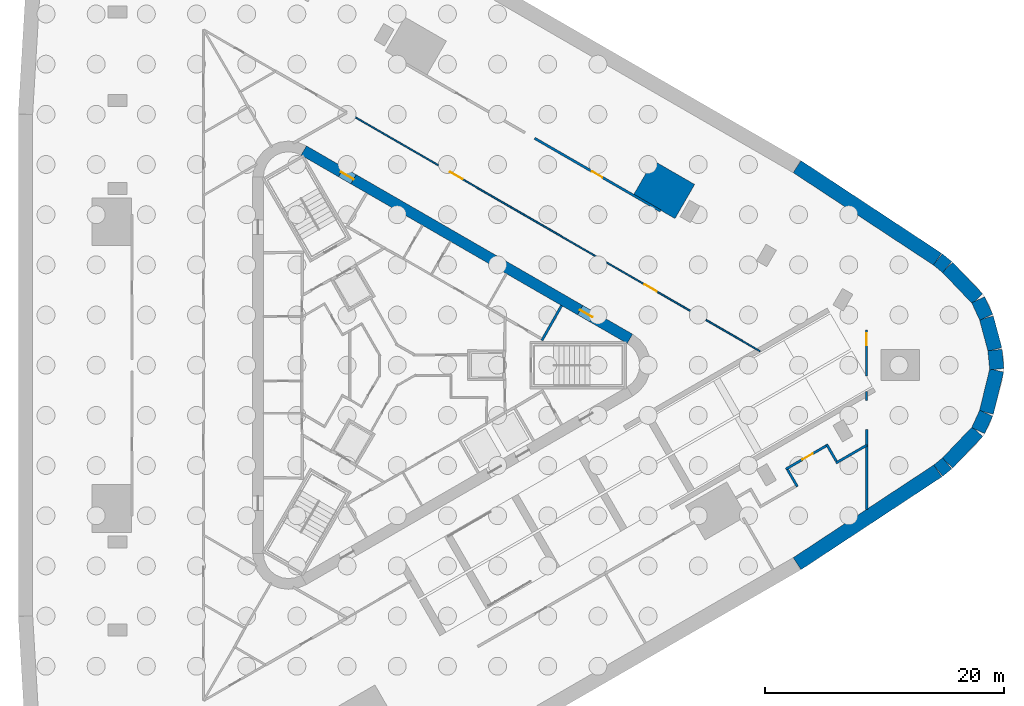
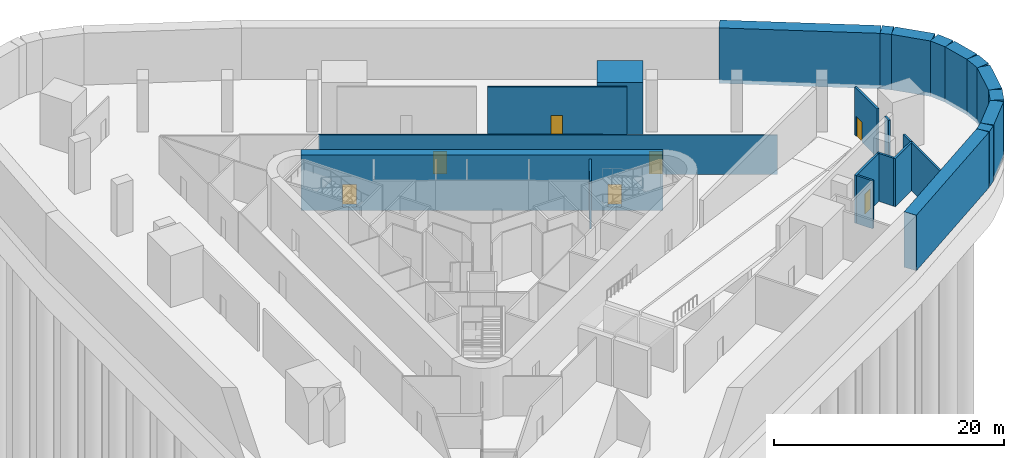
# One storey, part 8 of 13: 24 walls, 7 doors, 7 openings.
"""IFC4 building model written with IfcOpenShell, lengths in metres."""

from ifc_helpers import new_model, si_unit, direction, frame, frame_2d, origin, place, context, subcontext, project, spatial, polyline, rectangle, outline, extrude, material, layer, layer_set, type_object, element, fill, save


model = new_model("IFC4")

# Units and contexts
model_context = context("Model", 3, precision=1e-05, world=origin(), true_north=direction((0.0, 1.0)))
body_context = subcontext(model_context, "Body", "Model", "MODEL_VIEW")
ifc_project = project(units=[si_unit("LENGTHUNIT", "METRE"), si_unit("AREAUNIT", "SQUARE_METRE"), si_unit("VOLUMEUNIT", "CUBIC_METRE"), si_unit("PLANEANGLEUNIT", "RADIAN"), si_unit("MASSUNIT", "GRAM", prefix="KILO")], contexts=[model_context])

# Site, building, storey
site_placement = place(None, origin())
site = spatial("IfcSite", under=ifc_project, at=site_placement, CompositionType="ELEMENT")
building_placement = place(site_placement, origin())
building = spatial("IfcBuilding", under=site, at=building_placement, Name="Tanit Gate Tower", CompositionType="ELEMENT")
storey_placement = place(building_placement, frame((0.0, 0.0, -11.0)))
storey = spatial("IfcBuildingStorey", under=building, at=storey_placement, Name="B2", CompositionType="ELEMENT", Elevation=-11.0)

# Wall, openings, doors
ifc_material_1 = material(Name="Concrete C60/75", Category="concrete")
ifc_layer_1 = layer(ifc_material_1, 0.89990234375)
ifc_layer_set_1 = layer_set([ifc_layer_1], Name="CORE WALL 900 C60/75")
wall_type_1 = type_object("IfcWallType", Name="CORE WALL 900 C60/75", PredefinedType="SHEAR", material=ifc_layer_set_1)
wall_1_placement = place(storey_placement, frame((19.47509765625, 2.20849609375, -0.39990234375), z_axis=(0.0, 0.0, 1.0), x_axis=(-0.866028369851, 0.499994862586, 0.0)))
wall_1 = element("IfcWall", 1, at=wall_1_placement, inside=storey, type_object=wall_type_1, Name="CORE WALL", PredefinedType="SHEAR", context=body_context, shape_type="SweptSolid", body=[
    extrude(rectangle(XDim=31.523193359375, YDim=0.89990234375, at=frame_2d((15.76171875, 0.0))), origin(), (0.0, 0.0, 1.0), 5.89990234375),
])
opening_1_placement = place(wall_1_placement, frame((3.611572265625, 0.0, 0.39990234375)))
opening_1 = element("IfcOpeningElement", 2, at=opening_1_placement, cuts=wall_1, Name="Opening F12-B2-FL1", PredefinedType="OPENING", context=body_context, shape_type="SweptSolid", body=[
    extrude(rectangle(XDim=1.199951171875, YDim=2.39990234375, at=frame_2d((0.60009765625, 1.199951171875))), frame((0.0, 0.4599609375, 0.0), z_axis=(0.0, -1.0, 0.0), x_axis=(1.0, 0.0, 0.0)), (0.0, 0.0, 1.0), 0.919921875),
])
opening_2_placement = place(wall_1_placement, frame((26.711669921875, 0.0, 0.39990234375)))
opening_2 = element("IfcOpeningElement", 3, at=opening_2_placement, cuts=wall_1, Name="Opening F12-B2-S2", PredefinedType="OPENING", context=body_context, shape_type="SweptSolid", body=[
    extrude(rectangle(XDim=1.199951171875, YDim=2.39990234375, at=frame_2d((0.60009765625, 1.199951171875))), frame((0.0, 0.4599609375, 0.0), z_axis=(0.0, -1.0, 0.0), x_axis=(1.0, 0.0, 0.0)), (0.0, 0.0, 1.0), 0.919921875),
])
ifc_material_2 = material(Name="Fire-rated steel door leaf", Category="steel")
door_type_1 = type_object("IfcDoorType", Name="INT-DOOR-FIRE-LOBBY-1200", OperationType="NOTDEFINED", PredefinedType="USERDEFINED", material=ifc_material_2)
door_1_placement = place(opening_1_placement, origin())
door_1 = element("IfcDoor", 4, at=door_1_placement, inside=storey, type_object=door_type_1, Name="Door F12-B2-FL1", ObjectType="FIRE DOOR", OperationType="SINGLE_SWING_RIGHT", OverallHeight=2.39990234375, OverallWidth=1.199951171875, PredefinedType="USERDEFINED", context=body_context, shape_type="SweptSolid", body=[
    extrude(rectangle(XDim=1.199951171875, YDim=2.39990234375, at=frame_2d((0.60009765625, 1.199951171875))), frame((0.0, 0.02490234375, 0.0), z_axis=(0.0, -1.0, 0.0), x_axis=(1.0, 0.0, 0.0)), (0.0, 0.0, 1.0), 0.050048828125),
])
fill(opening_1, door_1)
door_2_placement = place(opening_2_placement, origin())
door_2 = element("IfcDoor", 5, at=door_2_placement, inside=storey, type_object=door_type_1, Name="Door F12-B2-S2", ObjectType="FIRE DOOR", OperationType="SINGLE_SWING_RIGHT", OverallHeight=2.39990234375, OverallWidth=1.199951171875, PredefinedType="USERDEFINED", context=body_context, shape_type="SweptSolid", body=[
    extrude(rectangle(XDim=1.199951171875, YDim=2.39990234375, at=frame_2d((0.60009765625, 1.199951171875))), frame((0.0, 0.02490234375, 0.0), z_axis=(0.0, -1.0, 0.0), x_axis=(1.0, 0.0, 0.0)), (0.0, 0.0, 1.0), 0.050048828125),
])
fill(opening_2, door_2)

# Walls
ifc_material_3 = material(Name="Concrete C35/45", Category="concrete")
ifc_layer_2 = layer(ifc_material_3, 1.199951171875)
ifc_layer_set_2 = layer_set([ifc_layer_2], Name="DIAPHRAGM WALL 1200 C35/45")
wall_type_2 = type_object("IfcWallType", Name="DIAPHRAGM WALL 1200 C35/45", PredefinedType="SHEAR", material=ifc_layer_set_2)
wall_2_placement = place(storey_placement, frame((48.62890625, 5.47802734375, -0.39990234375), z_axis=(0.0, 0.0, 1.0), x_axis=(0.418818025447, -0.908070185372, 0.0)))
element("IfcWall", 6, at=wall_2_placement, inside=storey, type_object=wall_type_2, Name="DIAPHRAGM WALL", PredefinedType="SHEAR", context=body_context, shape_type="SweptSolid", body=[
    extrude(rectangle(XDim=1.61181640625, YDim=1.199951171875, at=frame_2d((0.805908203125, 0.0))), origin(), (0.0, 0.0, 1.0), 5.89990234375),
])
wall_3_placement = place(storey_placement, frame((49.3212890625, 3.966552734375, -0.39990234375), z_axis=(0.0, 0.0, 1.0), x_axis=(0.258832579125, -0.965922199757, 0.0)))
element("IfcWall", 7, at=wall_3_placement, inside=storey, type_object=wall_type_2, Name="DIAPHRAGM WALL", PredefinedType="SHEAR", context=body_context, shape_type="SweptSolid", body=[
    extrude(rectangle(XDim=2.739990234375, YDim=1.199951171875, at=frame_2d((1.3701171875, 0.0))), origin(), (0.0, 0.0, 1.0), 5.89990234375),
])
wall_4_placement = place(storey_placement, frame((50.039306640625, 1.269775390625, -0.39990234375), z_axis=(0.0, 0.0, 1.0), x_axis=(0.091914614293, -0.995766892239, 0.0)))
element("IfcWall", 8, at=wall_4_placement, inside=storey, type_object=wall_type_2, Name="DIAPHRAGM WALL", PredefinedType="SHEAR", context=body_context, shape_type="SweptSolid", body=[
    extrude(rectangle(XDim=1.6123046875, YDim=1.199951171875, at=frame_2d((0.80615234375, 0.0))), origin(), (0.0, 0.0, 1.0), 5.89990234375),
])
wall_5_placement = place(storey_placement, frame((50.180419921875, -0.434326171875, -0.39990234375), z_axis=(0.0, 0.0, 1.0), x_axis=(-0.236488803439, -0.971634214017, 0.0)))
element("IfcWall", 9, at=wall_5_placement, inside=storey, type_object=wall_type_2, Name="DIAPHRAGM WALL", PredefinedType="SHEAR", context=body_context, shape_type="SweptSolid", body=[
    extrude(rectangle(XDim=3.6318359375, YDim=1.199951171875, at=frame_2d((1.81591796875, 0.0))), origin(), (0.0, 0.0, 1.0), 5.89990234375),
])
wall_6_placement = place(storey_placement, frame((49.302490234375, -4.017822265625, -0.39990234375), z_axis=(0.0, 0.0, 1.0), x_axis=(-0.418875242685, -0.908043793584, 0.0)))
element("IfcWall", 10, at=wall_6_placement, inside=storey, type_object=wall_type_2, Name="DIAPHRAGM WALL", PredefinedType="SHEAR", context=body_context, shape_type="SweptSolid", body=[
    extrude(rectangle(XDim=1.608154296875, YDim=1.199951171875, at=frame_2d((0.80419921875, 0.0))), origin(), (0.0, 0.0, 1.0), 5.89990234375),
])
wall_7_placement = place(storey_placement, frame((48.573486328125, -5.559814453125, -0.39990234375), z_axis=(0.0, 0.0, 1.0), x_axis=(-0.690605067942, -0.723232079026, 0.0)))
element("IfcWall", 11, at=wall_7_placement, inside=storey, type_object=wall_type_2, Name="DIAPHRAGM WALL", PredefinedType="SHEAR", context=body_context, shape_type="SweptSolid", body=[
    extrude(rectangle(XDim=3.63671875, YDim=1.199951171875, at=frame_2d((1.818359375, 0.0))), origin(), (0.0, 0.0, 1.0), 5.89990234375),
])
wall_8_placement = place(storey_placement, frame((46.03515625, -8.21484375, -0.39990234375), z_axis=(0.0, 0.0, 1.0), x_axis=(-0.773381934872, -0.63394036219, 0.0)))
element("IfcWall", 12, at=wall_8_placement, inside=storey, type_object=wall_type_2, Name="DIAPHRAGM WALL", PredefinedType="SHEAR", context=body_context, shape_type="SweptSolid", body=[
    extrude(rectangle(XDim=0.964599609375, YDim=1.199951171875, at=frame_2d((0.482421875, 0.0))), origin(), (0.0, 0.0, 1.0), 5.89990234375),
])
wall_9_placement = place(storey_placement, frame((45.263916015625, -8.844970703125, -0.39990234375), z_axis=(0.0, 0.0, 1.0), x_axis=(-0.834961815433, -0.550307883615, 0.0)))
element("IfcWall", 13, at=wall_9_placement, inside=storey, type_object=wall_type_2, Name="DIAPHRAGM WALL", PredefinedType="SHEAR", context=body_context, shape_type="SweptSolid", body=[
    extrude(rectangle(XDim=14.12158203125, YDim=1.199951171875, at=frame_2d((7.060791015625, 0.0))), origin(), (0.0, 0.0, 1.0), 5.89990234375),
])
wall_10_placement = place(storey_placement, frame((33.4736328125, 16.618896484375, -0.39990234375), z_axis=(0.0, 0.0, 1.0), x_axis=(0.834958385769, -0.550313087282, 0.0)))
element("IfcWall", 14, at=wall_10_placement, inside=storey, type_object=wall_type_2, Name="DIAPHRAGM WALL", PredefinedType="SHEAR", context=body_context, shape_type="SweptSolid", body=[
    extrude(rectangle(XDim=14.073974609375, YDim=1.199951171875, at=frame_2d((7.037109375, 0.0))), origin(), (0.0, 0.0, 1.0), 5.89990234375),
])
wall_11_placement = place(storey_placement, frame((45.24951171875, 8.855712890625, -0.39990234375), z_axis=(0.0, 0.0, 1.0), x_axis=(0.774750221958, -0.632267422517, 0.0)))
element("IfcWall", 15, at=wall_11_placement, inside=storey, type_object=wall_type_2, Name="DIAPHRAGM WALL", PredefinedType="SHEAR", context=body_context, shape_type="SweptSolid", body=[
    extrude(rectangle(XDim=1.014404296875, YDim=1.199951171875, at=frame_2d((0.50732421875, 0.0))), origin(), (0.0, 0.0, 1.0), 5.89990234375),
])
wall_12_placement = place(storey_placement, frame((46.0625, 8.189208984375, -0.39990234375), z_axis=(0.0, 0.0, 1.0), x_axis=(0.690635437427, -0.723203078375, 0.0)))
element("IfcWall", 16, at=wall_12_placement, inside=storey, type_object=wall_type_2, Name="DIAPHRAGM WALL", PredefinedType="SHEAR", context=body_context, shape_type="SweptSolid", body=[
    extrude(rectangle(XDim=3.6357421875, YDim=1.199951171875, at=frame_2d((1.81787109375, 0.0))), origin(), (0.0, 0.0, 1.0), 5.89990234375),
])
ifc_material_4 = material(Name="Fire-rated gypsum board partition")
ifc_layer_3 = layer(ifc_material_4, 0.199951171875)
ifc_layer_set_3 = layer_set([ifc_layer_3], Name="INT-WALL-COMPARTMENT")
wall_type_3 = type_object("IfcWallType", Name="INT-WALL-COMPARTMENT", PredefinedType="PARTITIONING", material=ifc_layer_set_3)
wall_13_placement = place(storey_placement, frame((12.10986328125, 2.07275390625, 0.0), z_axis=(0.0, 0.0, 1.0), x_axis=(0.49196600604, 0.870614408852, 0.0)))
element("IfcWall", 17, at=wall_13_placement, inside=storey, type_object=wall_type_3, Name="Wall Compartment W045", PredefinedType="PARTITIONING", context=body_context, shape_type="SweptSolid", body=[
    extrude(rectangle(XDim=3.35009765625, YDim=0.199951171875, at=frame_2d((1.675048828125, 0.0))), origin(), (0.0, 0.0, 1.0), 5.10009765625),
])
wall_14_placement = place(storey_placement, frame((39.311279296875, -6.697021484375, 0.0), z_axis=(0.0, 0.0, 1.0), x_axis=(0.0, 1.0, 0.0)))
element("IfcWall", 18, at=wall_14_placement, inside=storey, type_object=wall_type_3, Name="Wall Compartment W122", PredefinedType="PARTITIONING", context=body_context, shape_type="SweptSolid", body=[
    extrude(rectangle(XDim=1.299560546875, YDim=0.199951171875, at=frame_2d((0.64990234375, 0.0))), origin(), (0.0, 0.0, 1.0), 5.10009765625),
])
wall_15_placement = place(storey_placement, frame((39.28125, -2.955322265625, 0.0), z_axis=(0.0, 0.0, 1.0), x_axis=(0.0, 1.0, 0.0)))
element("IfcWall", 19, at=wall_15_placement, inside=storey, type_object=wall_type_3, Name="Wall Compartment W100", PredefinedType="PARTITIONING", context=body_context, shape_type="SweptSolid", body=[
    extrude(rectangle(XDim=0.75048828125, YDim=0.199951171875, at=frame_2d((0.375244140625, 0.0))), origin(), (0.0, 0.0, 1.0), 5.10009765625),
])

# Wall, opening, door
wall_16_placement = place(storey_placement, frame((39.28125, -0.9208984375, 0.0), z_axis=(0.0, 0.0, 1.0), x_axis=(0.0, 1.0, 0.0)))
wall_16 = element("IfcWall", 20, at=wall_16_placement, inside=storey, type_object=wall_type_3, Name="Wall Compartment W101", PredefinedType="PARTITIONING", context=body_context, shape_type="SweptSolid", body=[
    extrude(rectangle(XDim=3.876220703125, YDim=0.199951171875, at=frame_2d((1.93798828125, 0.0))), origin(), (0.0, 0.0, 1.0), 5.10009765625),
])
opening_3_placement = place(wall_16_placement, frame((2.6103515625, 0.0, 0.0)))
opening_3 = element("IfcOpeningElement", 21, at=opening_3_placement, cuts=wall_16, Name="Opening F10-B2-38", PredefinedType="OPENING", context=body_context, shape_type="SweptSolid", body=[
    extrude(rectangle(XDim=1.0, YDim=2.10009765625, at=frame_2d((0.5, 1.050048828125))), frame((0.0, 0.10986328125, 0.0), z_axis=(0.0, -1.0, 0.0), x_axis=(1.0, 0.0, 0.0)), (0.0, 0.0, 1.0), 0.219970703125),
])
ifc_material_5 = material(Name="Fire-rated steel door leaf", Category="steel")
door_type_2 = type_object("IfcDoorType", Name="INT-DOOR-FIRE-1000", OperationType="NOTDEFINED", PredefinedType="USERDEFINED", material=ifc_material_5)
door_3_placement = place(opening_3_placement, origin())
door_3 = element("IfcDoor", 22, at=door_3_placement, inside=storey, type_object=door_type_2, Name="Door F10-B2-38", ObjectType="FIRE DOOR", OperationType="SINGLE_SWING_RIGHT", OverallHeight=2.10009765625, OverallWidth=1.0, PredefinedType="USERDEFINED", context=body_context, shape_type="SweptSolid", body=[
    extrude(rectangle(XDim=1.0, YDim=2.10009765625, at=frame_2d((0.5, 1.050048828125))), frame((0.0, 0.02490234375, 0.0), z_axis=(0.0, -1.0, 0.0), x_axis=(1.0, 0.0, 0.0)), (0.0, 0.0, 1.0), 0.050048828125),
])
fill(opening_3, door_3)

wall_17_placement = place(storey_placement, frame((22.037841796875, 12.91064453125, 0.0), z_axis=(0.0, 0.0, 1.0), x_axis=(-0.866020417952, 0.500008635616, 0.0)))
wall_17 = element("IfcWall", 23, at=wall_17_placement, inside=storey, type_object=wall_type_3, Name="Wall Compartment W104", PredefinedType="PARTITIONING", context=body_context, shape_type="SweptSolid", body=[
    extrude(rectangle(XDim=12.159912109375, YDim=0.199951171875, at=frame_2d((6.080078125, 0.0))), origin(), (0.0, 0.0, 1.0), 5.10009765625),
])
opening_4_placement = place(wall_17_placement, frame((5.6298828125, 0.0, 0.0)))
opening_4 = element("IfcOpeningElement", 24, at=opening_4_placement, cuts=wall_17, Name="Opening F10-B2-41", PredefinedType="OPENING", context=body_context, shape_type="SweptSolid", body=[
    extrude(rectangle(XDim=1.0, YDim=2.10009765625, at=frame_2d((0.5, 1.050048828125))), frame((0.0, 0.10986328125, 0.0), z_axis=(0.0, -1.0, 0.0), x_axis=(1.0, 0.0, 0.0)), (0.0, 0.0, 1.0), 0.219970703125),
])
door_4_placement = place(opening_4_placement, origin())
door_4 = element("IfcDoor", 25, at=door_4_placement, inside=storey, type_object=door_type_2, Name="Door F10-B2-41", ObjectType="FIRE DOOR", OperationType="SINGLE_SWING_LEFT", OverallHeight=2.10009765625, OverallWidth=1.0, PredefinedType="USERDEFINED", context=body_context, shape_type="SweptSolid", body=[
    extrude(rectangle(XDim=1.0, YDim=2.10009765625, at=frame_2d((0.5, 1.050048828125))), frame((0.0, 0.02490234375, 0.0), z_axis=(0.0, -1.0, 0.0), x_axis=(1.0, 0.0, 0.0)), (0.0, 0.0, 1.0), 0.050048828125),
])
fill(opening_4, door_4)

# Wall
wall_18_placement = place(storey_placement, frame((39.311279296875, -6.697021484375, 0.0), z_axis=(0.0, 0.0, 1.0), x_axis=(0.0, -1.0, 0.0)))
element("IfcWall", 26, at=wall_18_placement, inside=storey, type_object=wall_type_3, Name="Wall Compartment W123", PredefinedType="PARTITIONING", context=body_context, shape_type="SweptSolid", body=[
    extrude(rectangle(XDim=5.388427734375, YDim=0.199951171875, at=frame_2d((2.6943359375, 0.0))), origin(), (0.0, 0.0, 1.0), 5.10009765625),
])

# Wall, opening, door
wall_19_placement = place(storey_placement, frame((32.532470703125, -8.69921875, 0.0), z_axis=(0.0, 0.0, 1.0), x_axis=(0.866018425233, 0.500012087011, 0.0)))
wall_19 = element("IfcWall", 27, at=wall_19_placement, inside=storey, type_object=wall_type_3, Name="Wall Compartment W128", PredefinedType="PARTITIONING", context=body_context, shape_type="SweptSolid", body=[
    extrude(rectangle(XDim=3.8916015625, YDim=0.199951171875, at=frame_2d((1.94580078125, 0.0))), origin(), (0.0, 0.0, 1.0), 5.10009765625),
])
opening_5_placement = place(wall_19_placement, frame((1.59130859375, 0.0, 0.0)))
opening_5 = element("IfcOpeningElement", 28, at=opening_5_placement, cuts=wall_19, Name="Opening F10-B2-45", PredefinedType="OPENING", context=body_context, shape_type="SweptSolid", body=[
    extrude(rectangle(XDim=1.0, YDim=2.10009765625, at=frame_2d((0.5, 1.050048828125))), frame((0.0, 0.10986328125, 0.0), z_axis=(0.0, -1.0, 0.0), x_axis=(1.0, 0.0, 0.0)), (0.0, 0.0, 1.0), 0.219970703125),
])
door_5_placement = place(opening_5_placement, origin())
door_5 = element("IfcDoor", 29, at=door_5_placement, inside=storey, type_object=door_type_2, Name="Door F10-B2-45", ObjectType="FIRE DOOR", OperationType="SINGLE_SWING_RIGHT", OverallHeight=2.10009765625, OverallWidth=1.0, PredefinedType="USERDEFINED", context=body_context, shape_type="SweptSolid", body=[
    extrude(rectangle(XDim=1.0, YDim=2.10009765625, at=frame_2d((0.5, 1.050048828125))), frame((0.0, 0.02490234375, 0.0), z_axis=(0.0, -1.0, 0.0), x_axis=(1.0, 0.0, 0.0)), (0.0, 0.0, 1.0), 0.050048828125),
])
fill(opening_5, door_5)

# Walls
wall_20_placement = place(storey_placement, frame((36.729248046875, -8.185546875, 0.0), z_axis=(0.0, 0.0, 1.0), x_axis=(0.865999269783, 0.500045262687, 0.0)))
element("IfcWall", 30, at=wall_20_placement, inside=storey, type_object=wall_type_3, Name="Wall Compartment W126", PredefinedType="PARTITIONING", context=body_context, shape_type="SweptSolid", body=[
    extrude(rectangle(XDim=3.011474609375, YDim=0.199951171875, at=frame_2d((1.505859375, 0.0))), origin(), (0.0, 0.0, 1.0), 5.10009765625),
])
for number, where, z_axis, x_axis, name in (
    (31, (36.765869140625, -8.048828125, 0.0), (0.0, 0.0, 1.0), (-0.499982354831, 0.866035590988, 0.0), "Wall Compartment W127"),
    (32, (33.495849609375, -10.167724609375, 0.0), (0.0, 0.0, 1.0), (-0.499982354831, 0.866035590988, 0.0), "Wall Compartment W129"),
):
    element("IfcWall", number, at=place(storey_placement, frame(where, z_axis=z_axis, x_axis=x_axis)), inside=storey, type_object=wall_type_3, Name=name, PredefinedType="PARTITIONING", context=body_context, shape_type="SweptSolid", body=[
        extrude(rectangle(XDim=1.6533203125, YDim=0.199951171875, at=frame_2d((0.82666015625, 0.0))), origin(), (0.0, 0.0, 1.0), 5.10009765625),
    ])

# Wall, openings, doors
ifc_material_6 = material(Name="Gypsum board partition")
ifc_layer_4 = layer(ifc_material_6, 0.1201171875)
ifc_layer_set_4 = layer_set([ifc_layer_4], Name="INT-WALL-PARTITION")
wall_type_4 = type_object("IfcWallType", Name="INT-WALL-PARTITION", PredefinedType="PARTITIONING", material=ifc_layer_set_4)
wall_21_placement = place(storey_placement, frame((30.3759765625, 1.168701171875, 0.0), z_axis=(0.0, 0.0, 1.0), x_axis=(-0.865777000343, 0.500430000777, 0.0)))
wall_21 = element("IfcWall", 33, at=wall_21_placement, inside=storey, type_object=wall_type_4, Name="Wall Partition W090", PredefinedType="PARTITIONING", context=body_context, shape_type="SweptSolid", body=[
    extrude(rectangle(XDim=39.978271484375, YDim=0.1201171875, at=frame_2d((19.9892578125, 0.0))), origin(), (0.0, 0.0, 1.0), 4.179931640625),
])
opening_6_placement = place(wall_21_placement, frame((28.783935546875, 0.0, 0.0)))
opening_6 = element("IfcOpeningElement", 34, at=opening_6_placement, cuts=wall_21, Name="Opening F12-B2-26", PredefinedType="OPENING", context=body_context, shape_type="SweptSolid", body=[
    extrude(rectangle(XDim=1.199951171875, YDim=2.39990234375, at=frame_2d((0.60009765625, 1.199951171875))), frame((0.0, 0.070068359375, 0.0), z_axis=(0.0, -1.0, 0.0), x_axis=(1.0, 0.0, 0.0)), (0.0, 0.0, 1.0), 0.14013671875),
])
opening_7_placement = place(wall_21_placement, frame((9.98388671875, 0.0, 0.0)))
opening_7 = element("IfcOpeningElement", 35, at=opening_7_placement, cuts=wall_21, Name="Opening F12-B2-27", PredefinedType="OPENING", context=body_context, shape_type="SweptSolid", body=[
    extrude(rectangle(XDim=1.199951171875, YDim=2.39990234375, at=frame_2d((0.60009765625, 1.199951171875))), frame((0.0, 0.070068359375, 0.0), z_axis=(0.0, -1.0, 0.0), x_axis=(1.0, 0.0, 0.0)), (0.0, 0.0, 1.0), 0.14013671875),
])
door_6_placement = place(opening_6_placement, origin())
door_6 = element("IfcDoor", 36, at=door_6_placement, inside=storey, type_object=door_type_1, Name="Door F12-B2-26", ObjectType="FIRE DOOR", OperationType="SINGLE_SWING_RIGHT", OverallHeight=2.39990234375, OverallWidth=1.199951171875, PredefinedType="USERDEFINED", context=body_context, shape_type="SweptSolid", body=[
    extrude(rectangle(XDim=1.199951171875, YDim=2.39990234375, at=frame_2d((0.60009765625, 1.199951171875))), frame((0.0, 0.02490234375, 0.0), z_axis=(0.0, -1.0, 0.0), x_axis=(1.0, 0.0, 0.0)), (0.0, 0.0, 1.0), 0.050048828125),
])
fill(opening_6, door_6)
door_7_placement = place(opening_7_placement, origin())
door_7 = element("IfcDoor", 37, at=door_7_placement, inside=storey, type_object=door_type_1, Name="Door F12-B2-27", ObjectType="FIRE DOOR", OperationType="SINGLE_SWING_RIGHT", OverallHeight=2.39990234375, OverallWidth=1.199951171875, PredefinedType="USERDEFINED", context=body_context, shape_type="SweptSolid", body=[
    extrude(rectangle(XDim=1.199951171875, YDim=2.39990234375, at=frame_2d((0.60009765625, 1.199951171875))), frame((0.0, 0.02490234375, 0.0), z_axis=(0.0, -1.0, 0.0), x_axis=(1.0, 0.0, 0.0)), (0.0, 0.0, 1.0), 0.050048828125),
])
fill(opening_7, door_7)

# Wall
ifc_material_7 = material(Name="Concrete C60/75", Category="concrete")
ifc_layer_5 = layer(ifc_material_7, 4.0)
ifc_layer_set_5 = layer_set([ifc_layer_5], Name="PIER WALL 4000 C60/75")
wall_type_5 = type_object("IfcWallType", Name="PIER WALL 4000 C60/75", PredefinedType="SHEAR", material=ifc_layer_set_5)
wall_22_placement = place(storey_placement, frame((0.0, 0.0, -0.39990234375)))
element("IfcWall", 38, at=wall_22_placement, inside=storey, type_object=wall_type_5, Name="PIER WALL", PredefinedType="SHEAR", context=body_context, shape_type="SweptSolid", body=[
    extrude(outline(polyline([(24.901123046875, 15.1298828125), (21.43701171875, 17.1298828125), (19.787109375, 14.27197265625), (23.251220703125, 12.27197265625), (24.901123046875, 15.1298828125)])), origin(), (0.0, 0.0, 1.0), 5.89990234375),
])

save(model, "model.ifc")
